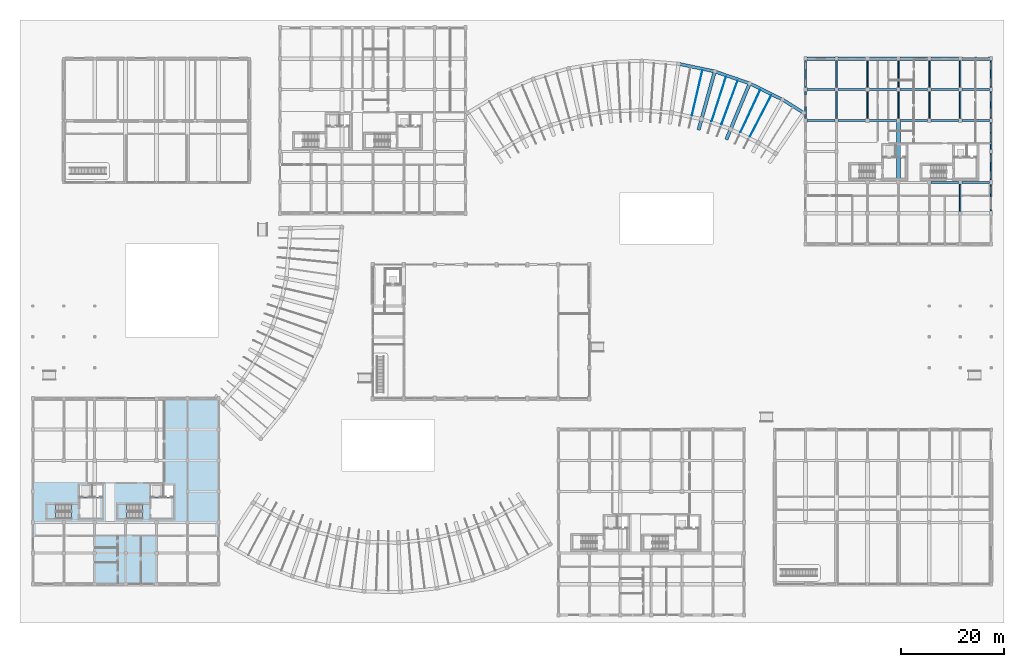
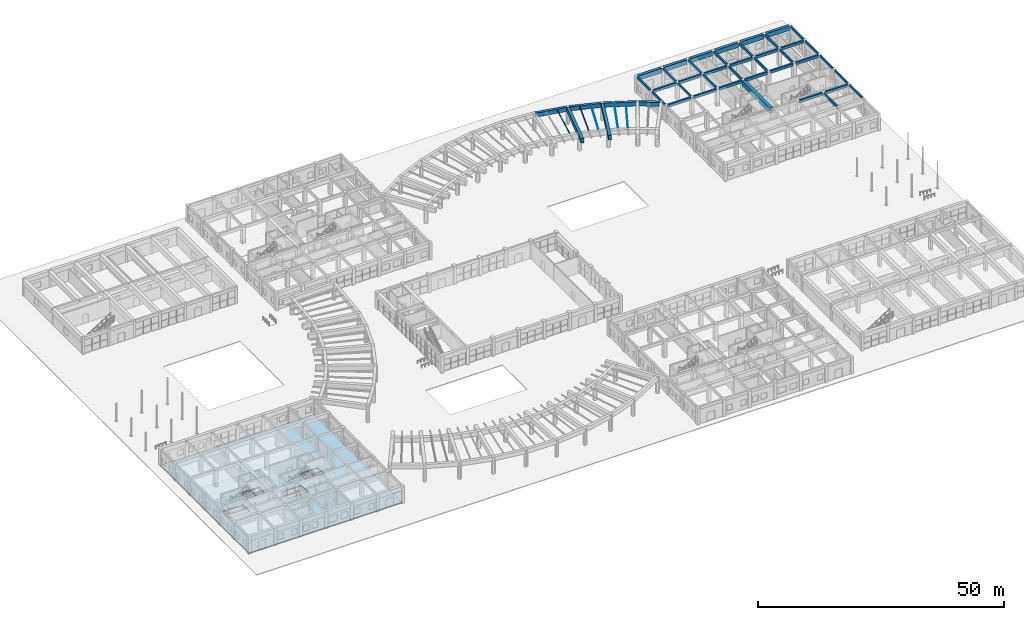
# One storey, part 38 of 76: 50 beams, 3 slabs, 2 elements without a shape of their own.
"""IFC4 building model written with IfcOpenShell, lengths in metres."""

from ifc_helpers import new_model, si_unit, direction, frame, origin, origin_2d, place, context, subcontext, project, spatial, polyline, rectangle, i_section, outline, extrude, material, layer, layer_set, material_profile, profile_set, type_object, element, aggregate, save


model = new_model("IFC4")

# Units and contexts
model_context = context("Model", 3, precision=1e-05, world=origin(), true_north=direction((0.0, 1.0)))
body_context = subcontext(model_context, "Body", "Model", "MODEL_VIEW")
ifc_project = project(units=[si_unit("LENGTHUNIT", "METRE"), si_unit("AREAUNIT", "SQUARE_METRE"), si_unit("VOLUMEUNIT", "CUBIC_METRE"), si_unit("PLANEANGLEUNIT", "RADIAN"), si_unit("MASSUNIT", "GRAM", prefix="KILO"), si_unit("POWERUNIT", "WATT"), si_unit("THERMODYNAMICTEMPERATUREUNIT", "KELVIN")], contexts=[model_context])

# Site, building, storey
site_placement = place(None, origin())
site = spatial("IfcSite", under=ifc_project, at=site_placement, CompositionType="ELEMENT")
building_placement = place(site_placement, origin())
building = spatial("IfcBuilding", under=site, at=building_placement, Name="Ruvembo Vaulted Housing Court", CompositionType="ELEMENT")
storey_placement = place(building_placement, origin())
storey = spatial("IfcBuildingStorey", under=building, at=storey_placement, Name="L00", CompositionType="ELEMENT", Elevation=0.0)

# Beams
ifc_material_1 = material(Name="Concrete C35/45", Category="concrete")
ifc_material_profile_1 = material_profile(ifc_material_1, rectangle(XDim=0.300048828125, YDim=0.60009765625, at=origin_2d()), Name="RC 300x600")
ifc_profile_set_1 = profile_set([ifc_material_profile_1], Name="Concrete C35/45")
beam_type_1 = type_object("IfcBeamType", Name="BM-RC-300x600", PredefinedType="BEAM", material=ifc_profile_set_1)
for number, where, z_axis, x_axis, name in (
    (1, (162.0, 96.3349609375, 3.929931640625), (0.0, 1.0, 0.0), (-1.0, 0.0, 0.0), "L00 Grid Beam Y #1099"),
    (2, (162.0, 102.3349609375, 3.929931640625), (0.0, 1.0, 0.0), (-1.0, 0.0, 0.0), "L00 Grid Beam Y #1100"),
    (3, (168.0, 96.3349609375, 3.929931640625), (0.0, 1.0, 0.0), (-1.0, 0.0, 0.0), "L00 Grid Beam Y #1107"),
    (4, (168.0, 102.3349609375, 3.929931640625), (0.0, 1.0, 0.0), (-1.0, 0.0, 0.0), "L00 Grid Beam Y #1108"),
    (5, (174.0, 96.3349609375, 3.929931640625), (0.0, 1.0, 0.0), (-1.0, 0.0, 0.0), "L00 Grid Beam Y #1114"),
    (6, (174.0, 102.3349609375, 3.929931640625), (0.0, 1.0, 0.0), (-1.0, 0.0, 0.0), "L00 Grid Beam Y #1115"),
    (7, (180.0, 78.3349609375, 3.929931640625), (0.0, 1.0, 0.0), (-1.0, 0.0, 0.0), "L00 Grid Beam Y #1120"),
    (8, (180.0, 96.3349609375, 3.929931640625), (0.0, 1.0, 0.0), (-1.0, 0.0, 0.0), "L00 Grid Beam Y #1121"),
    (9, (180.0, 102.3349609375, 3.929931640625), (0.0, 1.0, 0.0), (-1.0, 0.0, 0.0), "L00 Grid Beam Y #1122"),
):
    element("IfcBeam", number, at=place(storey_placement, frame(where, z_axis=z_axis, x_axis=x_axis)), inside=storey, type_object=beam_type_1, Name=name, PredefinedType="BEAM", context=body_context, shape_type="SweptSolid", body=[
        extrude(rectangle(XDim=0.300048828125, YDim=0.60009765625, at=origin_2d()), origin(), (0.0, 0.0, 1.0), 5.330078125),
    ])
ifc_material_profile_2 = material_profile(ifc_material_1, rectangle(XDim=0.39990234375, YDim=0.64990234375, at=origin_2d()), Name="RC 400x650")
ifc_profile_set_2 = profile_set([ifc_material_profile_2], Name="Concrete C35/45")
beam_type_2 = type_object("IfcBeamType", Name="BM-RC-400x650", PredefinedType="BEAM", material=ifc_profile_set_2)
beam_1_placement = place(storey_placement, frame((174.3349609375, 84.0, 3.905029296875), z_axis=(1.0, 0.0, 0.0), x_axis=(0.0, 1.0, 0.0)))
element("IfcBeam", 10, at=beam_1_placement, inside=storey, type_object=beam_type_2, Name="L00 Grid Beam X #886", PredefinedType="BEAM", context=body_context, shape_type="SweptSolid", body=[
    extrude(rectangle(XDim=0.39990234375, YDim=0.64990234375, at=origin_2d()), origin(), (0.0, 0.0, 1.0), 5.330078125),
])
beam_2_placement = place(storey_placement, frame((180.3349609375, 84.0, 3.905029296875), z_axis=(1.0, 0.0, 0.0), x_axis=(0.0, 1.0, 0.0)))
element("IfcBeam", 11, at=beam_2_placement, inside=storey, type_object=beam_type_2, Name="L00 Grid Beam X #887", PredefinedType="BEAM", context=body_context, shape_type="SweptSolid", body=[
    extrude(rectangle(XDim=0.39990234375, YDim=0.64990234375, at=origin_2d()), origin(), (0.0, 0.0, 1.0), 5.380126953125),
])
beam_3_placement = place(storey_placement, frame((150.284912109375, 96.0, 3.905029296875), z_axis=(1.0, 0.0, 0.0), x_axis=(0.0, 1.0, 0.0)))
element("IfcBeam", 12, at=beam_3_placement, inside=storey, type_object=beam_type_2, Name="L00 Grid Beam X #902", PredefinedType="BEAM", context=body_context, shape_type="SweptSolid", body=[
    extrude(rectangle(XDim=0.39990234375, YDim=0.64990234375, at=origin_2d()), origin(), (0.0, 0.0, 1.0), 5.43017578125),
])
beam_4_placement = place(storey_placement, frame((156.284912109375, 96.0, 3.905029296875), z_axis=(1.0, 0.0, 0.0), x_axis=(0.0, 1.0, 0.0)))
element("IfcBeam", 13, at=beam_4_placement, inside=storey, type_object=beam_type_2, Name="L00 Grid Beam X #903", PredefinedType="BEAM", context=body_context, shape_type="SweptSolid", body=[
    extrude(rectangle(XDim=0.39990234375, YDim=0.64990234375, at=origin_2d()), origin(), (0.0, 0.0, 1.0), 5.380126953125),
])
for number, where, z_axis, x_axis, name in (
    (14, (162.3349609375, 96.0, 3.905029296875), (1.0, 0.0, 0.0), (0.0, 1.0, 0.0), "L00 Grid Beam X #904"),
    (15, (168.3349609375, 96.0, 3.905029296875), (1.0, 0.0, 0.0), (0.0, 1.0, 0.0), "L00 Grid Beam X #905"),
    (16, (174.3349609375, 96.0, 3.905029296875), (1.0, 0.0, 0.0), (0.0, 1.0, 0.0), "L00 Grid Beam X #906"),
):
    element("IfcBeam", number, at=place(storey_placement, frame(where, z_axis=z_axis, x_axis=x_axis)), inside=storey, type_object=beam_type_2, Name=name, PredefinedType="BEAM", context=body_context, shape_type="SweptSolid", body=[
        extrude(rectangle(XDim=0.39990234375, YDim=0.64990234375, at=origin_2d()), origin(), (0.0, 0.0, 1.0), 5.330078125),
    ])
beam_5_placement = place(storey_placement, frame((180.3349609375, 96.0, 3.905029296875), z_axis=(1.0, 0.0, 0.0), x_axis=(0.0, 1.0, 0.0)))
element("IfcBeam", 17, at=beam_5_placement, inside=storey, type_object=beam_type_2, Name="L00 Grid Beam X #907", PredefinedType="BEAM", context=body_context, shape_type="SweptSolid", body=[
    extrude(rectangle(XDim=0.39990234375, YDim=0.64990234375, at=origin_2d()), origin(), (0.0, 0.0, 1.0), 5.380126953125),
])
beam_6_placement = place(storey_placement, frame((150.284912109375, 102.0, 3.905029296875), z_axis=(1.0, 0.0, 0.0), x_axis=(0.0, 1.0, 0.0)))
element("IfcBeam", 18, at=beam_6_placement, inside=storey, type_object=beam_type_2, Name="L00 Grid Beam X #914", PredefinedType="BEAM", context=body_context, shape_type="SweptSolid", body=[
    extrude(rectangle(XDim=0.39990234375, YDim=0.64990234375, at=origin_2d()), origin(), (0.0, 0.0, 1.0), 5.43017578125),
])
beam_7_placement = place(storey_placement, frame((156.284912109375, 102.0, 3.905029296875), z_axis=(1.0, 0.0, 0.0), x_axis=(0.0, 1.0, 0.0)))
element("IfcBeam", 19, at=beam_7_placement, inside=storey, type_object=beam_type_2, Name="L00 Grid Beam X #915", PredefinedType="BEAM", context=body_context, shape_type="SweptSolid", body=[
    extrude(rectangle(XDim=0.39990234375, YDim=0.64990234375, at=origin_2d()), origin(), (0.0, 0.0, 1.0), 5.380126953125),
])
for number, where, z_axis, x_axis, name in (
    (20, (162.3349609375, 102.0, 3.905029296875), (1.0, 0.0, 0.0), (0.0, 1.0, 0.0), "L00 Grid Beam X #916"),
    (21, (168.3349609375, 102.0, 3.905029296875), (1.0, 0.0, 0.0), (0.0, 1.0, 0.0), "L00 Grid Beam X #917"),
    (22, (174.3349609375, 102.0, 3.905029296875), (1.0, 0.0, 0.0), (0.0, 1.0, 0.0), "L00 Grid Beam X #918"),
):
    element("IfcBeam", number, at=place(storey_placement, frame(where, z_axis=z_axis, x_axis=x_axis)), inside=storey, type_object=beam_type_2, Name=name, PredefinedType="BEAM", context=body_context, shape_type="SweptSolid", body=[
        extrude(rectangle(XDim=0.39990234375, YDim=0.64990234375, at=origin_2d()), origin(), (0.0, 0.0, 1.0), 5.330078125),
    ])
beam_8_placement = place(storey_placement, frame((180.3349609375, 102.0, 3.905029296875), z_axis=(1.0, 0.0, 0.0), x_axis=(0.0, 1.0, 0.0)))
element("IfcBeam", 23, at=beam_8_placement, inside=storey, type_object=beam_type_2, Name="L00 Grid Beam X #919", PredefinedType="BEAM", context=body_context, shape_type="SweptSolid", body=[
    extrude(rectangle(XDim=0.39990234375, YDim=0.64990234375, at=origin_2d()), origin(), (0.0, 0.0, 1.0), 5.380126953125),
])
ifc_material_2 = material(Name="Steel S355J2", Category="steel")
ifc_material_profile_3 = material_profile(ifc_material_2, i_section(OverallWidth=0.08203125, OverallDepth=0.159912109375, WebThickness=0.0048828125, FlangeThickness=0.00732421875, FilletRadius=0.009033203125, at=origin_2d()), Name="IPE 160")
ifc_profile_set_3 = profile_set([ifc_material_profile_3], Name="Steel S355J2")
beam_type_3 = type_object("IfcBeamType", Name="BM-ST-IPE160", PredefinedType="JOIST", material=ifc_profile_set_3)
for number, where, z_axis, x_axis, name in (
    (24, (129.95751953125, 105.76513671875, 4.159912109375), (-0.226328461934, -0.974051039381, 0.0), (0.974051039381, -0.226328461934, 0.0), "Scoop SC3 L00 Interior Radial Joist 20"),
    (25, (136.78369140625, 103.723876953125, 4.159912109375), (-0.345546647121, -0.938401574308, 0.0), (0.938401574308, -0.345546647121, 0.0), "Scoop SC3 L00 Interior Radial Joist 23"),
):
    element("IfcBeam", number, at=place(storey_placement, frame(where, z_axis=z_axis, x_axis=x_axis)), inside=storey, type_object=beam_type_3, Name=name, PredefinedType="JOIST", context=body_context, shape_type="SweptSolid", body=[
        extrude(i_section(OverallWidth=0.08203125, OverallDepth=0.159912109375, WebThickness=0.0048828125, FlangeThickness=0.00732421875, FilletRadius=0.009033203125, at=origin_2d()), origin(), (0.0, 0.0, 1.0), 9.053466796875),
    ])
beam_9_placement = place(storey_placement, frame((143.3037109375, 100.8505859375, 4.159912109375), z_axis=(-0.459446393789, -0.888205500565, 0.0), x_axis=(0.888205500565, -0.459446393789, 0.0)))
element("IfcBeam", 26, at=beam_9_placement, inside=storey, type_object=beam_type_3, Name="Scoop SC3 L00 Interior Radial Joist 26", PredefinedType="JOIST", context=body_context, shape_type="SweptSolid", body=[
    extrude(i_section(OverallWidth=0.08203125, OverallDepth=0.159912109375, WebThickness=0.0048828125, FlangeThickness=0.00732421875, FilletRadius=0.009033203125, at=origin_2d()), origin(), (0.0, 0.0, 1.0), 9.0537109375),
])
ifc_material_profile_4 = material_profile(ifc_material_2, i_section(OverallWidth=0.091064453125, OverallDepth=0.179931640625, WebThickness=0.00537109375, FlangeThickness=0.008056640625, FilletRadius=0.009033203125, at=origin_2d()), Name="IPE 180")
ifc_profile_set_4 = profile_set([ifc_material_profile_4], Name="Steel S355J2")
beam_type_4 = type_object("IfcBeamType", Name="BM-ST-IPE180", PredefinedType="JOIST", material=ifc_profile_set_4)
for number, where, z_axis, x_axis, name in (
    (27, (134.537353515625, 104.49853515625, 4.14990234375), (-0.306340866922, -0.951921884008, 0.0), (0.951921884008, -0.306340866922, 0.0), "Scoop SC3 L00 Interior Radial Joist 22"),
    (28, (141.1708984375, 101.898193359375, 4.14990234375), (-0.422210699602, -0.906497724841, 0.0), (0.906497724841, -0.422210699602, 0.0), "Scoop SC3 L00 Interior Radial Joist 25"),
):
    element("IfcBeam", number, at=place(storey_placement, frame(where, z_axis=z_axis, x_axis=x_axis)), inside=storey, type_object=beam_type_4, Name=name, PredefinedType="JOIST", context=body_context, shape_type="SweptSolid", body=[
        extrude(i_section(OverallWidth=0.091064453125, OverallDepth=0.179931640625, WebThickness=0.00537109375, FlangeThickness=0.008056640625, FilletRadius=0.009033203125, at=origin_2d()), origin(), (0.0, 0.0, 1.0), 9.053466796875),
    ])
ifc_material_profile_5 = material_profile(ifc_material_1, rectangle(XDim=0.300048828125, YDim=0.5, at=origin_2d()), Name="RC 300x500")
ifc_profile_set_5 = profile_set([ifc_material_profile_5], Name="Concrete C35/45")
beam_type_5 = type_object("IfcBeamType", Name="SP-RC-300x500", PredefinedType="SPANDREL", material=ifc_profile_set_5)
for number, where, z_axis, x_axis, name in (
    (29, (150.0, 96.385009765625, 3.97998046875), (0.0, 1.0, 0.0), (-1.0, 0.0, 0.0), "L00 Grid Beam Y #1083"),
    (30, (150.0, 102.385009765625, 3.97998046875), (0.0, 1.0, 0.0), (-1.0, 0.0, 0.0), "L00 Grid Beam Y #1084"),
    (31, (156.0, 96.385009765625, 3.97998046875), (0.0, 1.0, 0.0), (-1.0, 0.0, 0.0), "L00 Grid Beam Y #1092"),
    (32, (156.0, 102.385009765625, 3.97998046875), (0.0, 1.0, 0.0), (-1.0, 0.0, 0.0), "L00 Grid Beam Y #1093"),
    (33, (186.0, 78.385009765625, 3.97998046875), (0.0, 1.0, 0.0), (-1.0, 0.0, 0.0), "L00 Grid Beam Y #1127"),
    (34, (186.0, 84.385009765625, 3.97998046875), (0.0, 1.0, 0.0), (-1.0, 0.0, 0.0), "L00 Grid Beam Y #1128"),
    (35, (186.0, 90.385009765625, 3.97998046875), (0.0, 1.0, 0.0), (-1.0, 0.0, 0.0), "L00 Grid Beam Y #1129"),
    (36, (186.0, 96.385009765625, 3.97998046875), (0.0, 1.0, 0.0), (-1.0, 0.0, 0.0), "L00 Grid Beam Y #1130"),
    (37, (186.0, 102.385009765625, 3.97998046875), (0.0, 1.0, 0.0), (-1.0, 0.0, 0.0), "L00 Grid Beam Y #1131"),
):
    element("IfcBeam", number, at=place(storey_placement, frame(where, z_axis=z_axis, x_axis=x_axis)), inside=storey, type_object=beam_type_5, Name=name, PredefinedType="SPANDREL", context=body_context, shape_type="SweptSolid", body=[
        extrude(rectangle(XDim=0.300048828125, YDim=0.5, at=origin_2d()), origin(), (0.0, 0.0, 1.0), 5.22998046875),
    ])
ifc_material_3 = material(Name="Concrete C40/50", Category="concrete")
ifc_material_profile_6 = material_profile(ifc_material_3, rectangle(XDim=0.60009765625, YDim=1.0, at=origin_2d()), Name="RC 600x1000")
ifc_profile_set_6 = profile_set([ifc_material_profile_6], Name="Concrete C40/50")
beam_type_6 = type_object("IfcBeamType", Name="TB-RC-600x1000", PredefinedType="BEAM", material=ifc_profile_set_6)
for number, where, z_axis, x_axis, name in (
    (38, (125.573974609375, 106.943603515625, 3.748046875), (0.978540876465, -0.206052791989, 0.0), (0.206052791989, 0.978540876465, 0.0), "Scoop SC3 Pilotis Transfer Girder B18"),
    (39, (132.58056640625, 105.437744140625, 3.748046875), (0.945358240324, -0.326033429961, 0.0), (0.326033429961, 0.945358240324, 0.0), "Scoop SC3 Pilotis Transfer Girder B21"),
):
    element("IfcBeam", number, at=place(storey_placement, frame(where, z_axis=z_axis, x_axis=x_axis)), inside=storey, type_object=beam_type_6, Name=name, PredefinedType="BEAM", context=body_context, shape_type="SweptSolid", body=[
        extrude(rectangle(XDim=0.60009765625, YDim=1.0, at=origin_2d()), origin(), (0.0, 0.0, 1.0), 6.6884765625),
    ])
beam_10_placement = place(storey_placement, frame((139.345703125, 103.0732421875, 3.748046875), z_axis=(0.897558634467, -0.440895109627, 0.0), x_axis=(0.440895109627, 0.897558634467, 0.0)))
element("IfcBeam", 40, at=beam_10_placement, inside=storey, type_object=beam_type_6, Name="Scoop SC3 Pilotis Transfer Girder B24", PredefinedType="BEAM", context=body_context, shape_type="SweptSolid", body=[
    extrude(rectangle(XDim=0.60009765625, YDim=1.0, at=origin_2d()), origin(), (0.0, 0.0, 1.0), 6.688720703125),
])
beam_11_placement = place(storey_placement, frame((145.767578125, 99.890869140625, 3.748046875), z_axis=(0.84704334758, -0.531523816325, 0.0), x_axis=(0.531523816325, 0.84704334758, 0.0)))
element("IfcBeam", 41, at=beam_11_placement, inside=storey, type_object=beam_type_6, Name="Scoop SC3 Pilotis Transfer Girder B27", PredefinedType="BEAM", context=body_context, shape_type="SweptSolid", body=[
    extrude(rectangle(XDim=0.60009765625, YDim=1.0, at=origin_2d()), origin(), (0.0, 0.0, 1.0), 4.300537109375),
])
ifc_material_profile_7 = material_profile(ifc_material_3, rectangle(XDim=0.64990234375, YDim=1.10009765625, at=origin_2d()), Name="RC 650x1100")
ifc_profile_set_7 = profile_set([ifc_material_profile_7], Name="Concrete C40/50")
beam_type_7 = type_object("IfcBeamType", Name="TB-RC-650x1100", PredefinedType="BEAM", material=ifc_profile_set_7)
beam_12_placement = place(storey_placement, frame((150.284912109375, 108.0, 3.679931640625), z_axis=(1.0, 0.0, 0.0), x_axis=(0.0, 1.0, 0.0)))
element("IfcBeam", 42, at=beam_12_placement, inside=storey, type_object=beam_type_7, Name="L00 Grid Beam X #932", PredefinedType="BEAM", context=body_context, shape_type="SweptSolid", body=[
    extrude(rectangle(XDim=0.64990234375, YDim=1.10009765625, at=origin_2d()), origin(), (0.0, 0.0, 1.0), 5.43017578125),
])
beam_13_placement = place(storey_placement, frame((156.284912109375, 108.0, 3.679931640625), z_axis=(1.0, 0.0, 0.0), x_axis=(0.0, 1.0, 0.0)))
element("IfcBeam", 43, at=beam_13_placement, inside=storey, type_object=beam_type_7, Name="L00 Grid Beam X #933", PredefinedType="BEAM", context=body_context, shape_type="SweptSolid", body=[
    extrude(rectangle(XDim=0.64990234375, YDim=1.10009765625, at=origin_2d()), origin(), (0.0, 0.0, 1.0), 5.380126953125),
])
for number, where, z_axis, x_axis, name in (
    (44, (162.3349609375, 108.0, 3.679931640625), (1.0, 0.0, 0.0), (0.0, 1.0, 0.0), "L00 Grid Beam X #934"),
    (45, (168.3349609375, 108.0, 3.679931640625), (1.0, 0.0, 0.0), (0.0, 1.0, 0.0), "L00 Grid Beam X #935"),
    (46, (174.3349609375, 108.0, 3.679931640625), (1.0, 0.0, 0.0), (0.0, 1.0, 0.0), "L00 Grid Beam X #936"),
):
    element("IfcBeam", number, at=place(storey_placement, frame(where, z_axis=z_axis, x_axis=x_axis)), inside=storey, type_object=beam_type_7, Name=name, PredefinedType="BEAM", context=body_context, shape_type="SweptSolid", body=[
        extrude(rectangle(XDim=0.64990234375, YDim=1.10009765625, at=origin_2d()), origin(), (0.0, 0.0, 1.0), 5.330078125),
    ])
beam_14_placement = place(storey_placement, frame((180.3349609375, 108.0, 3.679931640625), z_axis=(1.0, 0.0, 0.0), x_axis=(0.0, 1.0, 0.0)))
element("IfcBeam", 47, at=beam_14_placement, inside=storey, type_object=beam_type_7, Name="L00 Grid Beam X #937", PredefinedType="BEAM", context=body_context, shape_type="SweptSolid", body=[
    extrude(rectangle(XDim=0.64990234375, YDim=1.10009765625, at=origin_2d()), origin(), (0.0, 0.0, 1.0), 5.380126953125),
])
for number, where, z_axis, x_axis, name in (
    (48, (132.289794921875, 105.28466796875, 3.697998046875), (-0.266566436193, -0.96381654639, 0.0), (0.96381654639, -0.266566436193, 0.0), "Scoop SC3 Radial Pilotis Transfer Girder 21"),
    (49, (139.0380859375, 102.95751953125, 3.697998046875), (-0.384201458572, -0.923249283363, 0.0), (0.923249283363, -0.384201458572, 0.0), "Scoop SC3 Radial Pilotis Transfer Girder 24"),
):
    element("IfcBeam", number, at=place(storey_placement, frame(where, z_axis=z_axis, x_axis=x_axis)), inside=storey, type_object=beam_type_7, Name=name, PredefinedType="BEAM", context=body_context, shape_type="SweptSolid", body=[
        extrude(rectangle(XDim=0.64990234375, YDim=1.10009765625, at=origin_2d()), origin(), (0.0, 0.0, 1.0), 11.56005859375),
    ])
ifc_material_profile_8 = material_profile(ifc_material_3, rectangle(XDim=0.75, YDim=1.300048828125, at=origin_2d()), Name="RC 750x1300")
ifc_profile_set_8 = profile_set([ifc_material_profile_8], Name="Concrete C40/50")
beam_type_8 = type_object("IfcBeamType", Name="TB-RC-750x1300", PredefinedType="BEAM", material=ifc_profile_set_8)
beam_15_placement = place(storey_placement, frame((168.0, 84.3349609375, 3.580078125), z_axis=(0.0, 1.0, 0.0), x_axis=(-1.0, 0.0, 0.0)))
element("IfcBeam", 50, at=beam_15_placement, inside=storey, type_object=beam_type_8, Name="L00 Grid Beam Y #1106", PredefinedType="BEAM", context=body_context, shape_type="SweptSolid", body=[
    extrude(rectangle(XDim=0.75, YDim=1.300048828125, at=origin_2d()), origin(), (0.0, 0.0, 1.0), 11.330078125),
])

# Slab
ifc_material_4 = material(Name="Concrete C30/37", Category="concrete")
ifc_layer_1 = layer(ifc_material_4, 0.284912109375, Name="Concrete C30/37")
ifc_layer_set_1 = layer_set([ifc_layer_1], Name="Concrete C30/37")
slab_type_1 = type_object("IfcSlabType", Name="SL-FLR-285", PredefinedType="FLOOR", material=ifc_layer_set_1)
slab_1_placement = place(storey_placement, frame((0.0, 0.0, -0.284912109375)))
element("IfcSlab", 51, at=slab_1_placement, inside=storey, type_object=slab_type_1, Name="Block A L00 Structural Floor Slab", PredefinedType="FLOOR", context=body_context, shape_type="SweptSolid", body=[
    extrude(outline(polyline([(36.0, 6.0), (36.0, 42.0), (0.0, 42.0), (0.0, 6.0), (36.0, 6.0)]), holes=[polyline([(7.5, 21.449951171875), (2.75, 21.449951171875), (2.75, 18.75), (7.5, 18.75), (7.5, 21.449951171875)]), polyline([(9.14990234375, 22.85009765625), (11.35009765625, 22.85009765625), (11.35009765625, 25.25), (9.14990234375, 25.25), (9.14990234375, 22.85009765625)]), polyline([(11.60009765625, 22.85009765625), (13.449951171875, 22.85009765625), (13.449951171875, 25.25), (11.60009765625, 25.25), (11.60009765625, 22.85009765625)]), polyline([(21.300048828125, 21.449951171875), (16.550048828125, 21.449951171875), (16.550048828125, 18.75), (21.300048828125, 18.75), (21.300048828125, 21.449951171875)]), polyline([(22.949951171875, 22.85009765625), (25.14990234375, 22.85009765625), (25.14990234375, 25.25), (22.949951171875, 25.25), (22.949951171875, 22.85009765625)]), polyline([(25.39990234375, 22.85009765625), (27.25, 22.85009765625), (27.25, 25.25), (25.39990234375, 25.25), (25.39990234375, 22.85009765625)])]), origin(), (0.0, 0.0, 1.0), 0.284912109375),
])

# Stair, slab
stair_type = type_object("IfcStairType", Name="STR-CORE-1250", PredefinedType="HALF_TURN_STAIR", material=ifc_material_1)
stair_1_placement = place(storey_placement, origin())
stair_1 = element("IfcStair", 52, at=stair_1_placement, inside=storey, type_object=stair_type, Name="L00 Protected Exit Stair ST-A1", PredefinedType="HALF_TURN_STAIR")
ifc_layer_2 = layer(ifc_material_4, 0.201904296875, Name="Concrete C30/37")
ifc_layer_set_2 = layer_set([ifc_layer_2], Name="Concrete C30/37")
slab_type_2 = type_object("IfcSlabType", Name="SL-LAND-202", PredefinedType="LANDING", material=ifc_layer_set_2)
slab_2_placement = place(storey_placement, frame((0.0, 0.0, 2.050048828125)))
slab_2 = element("IfcSlab", 53, at=slab_2_placement, type_object=slab_type_2, Name="ST-A1 landing 1", PredefinedType="LANDING", context=body_context, shape_type="SweptSolid", body=[
    extrude(outline(polyline([(4.419921875, 21.449951171875), (2.75, 21.449951171875), (2.75, 18.75), (4.419921875, 18.75), (4.419921875, 21.449951171875)])), origin(), (0.0, 0.0, 1.0), 0.199951171875),
])
aggregate(stair_1, [slab_2])

stair_2_placement = place(storey_placement, origin())
stair_2 = element("IfcStair", 54, at=stair_2_placement, inside=storey, type_object=stair_type, Name="L00 Protected Exit Stair ST-A2", PredefinedType="HALF_TURN_STAIR")
slab_3_placement = place(storey_placement, frame((0.0, 0.0, 2.050048828125)))
slab_3 = element("IfcSlab", 55, at=slab_3_placement, type_object=slab_type_2, Name="ST-A2 landing 1", PredefinedType="LANDING", context=body_context, shape_type="SweptSolid", body=[
    extrude(outline(polyline([(18.219970703125, 21.449951171875), (16.550048828125, 21.449951171875), (16.550048828125, 18.75), (18.219970703125, 18.75), (18.219970703125, 21.449951171875)])), origin(), (0.0, 0.0, 1.0), 0.199951171875),
])
aggregate(stair_2, [slab_3])

save(model, "model.ifc")
